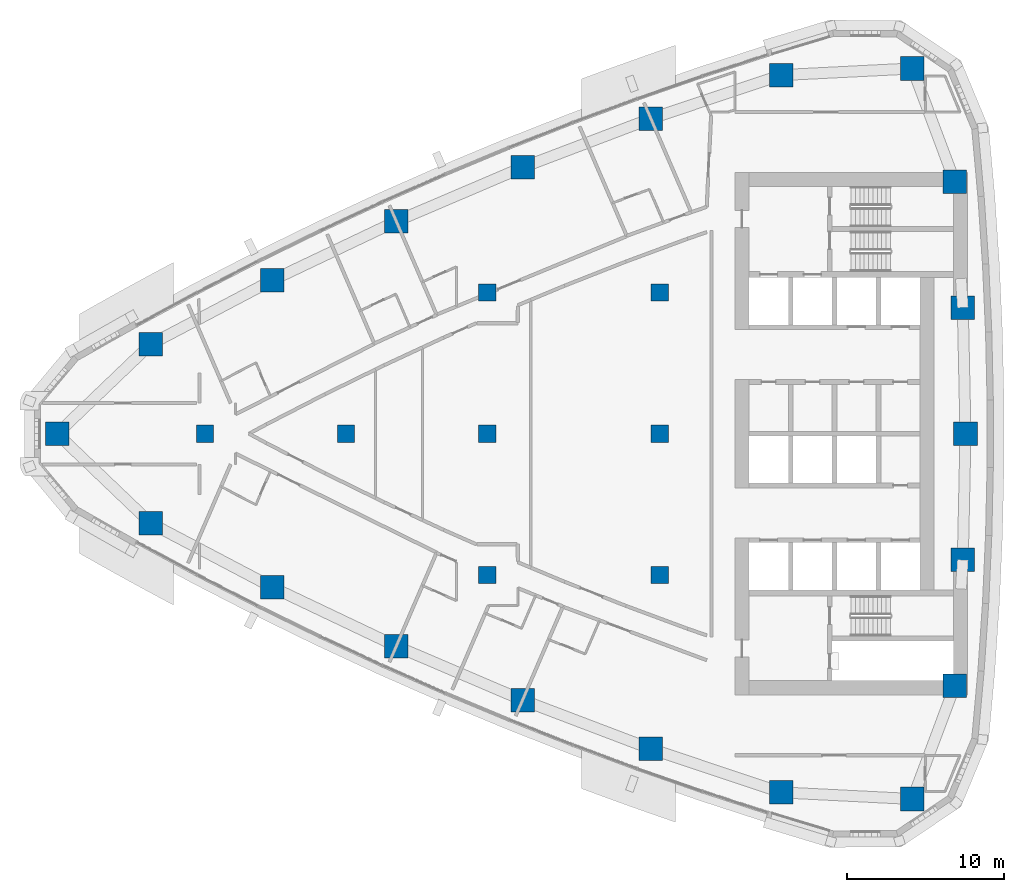
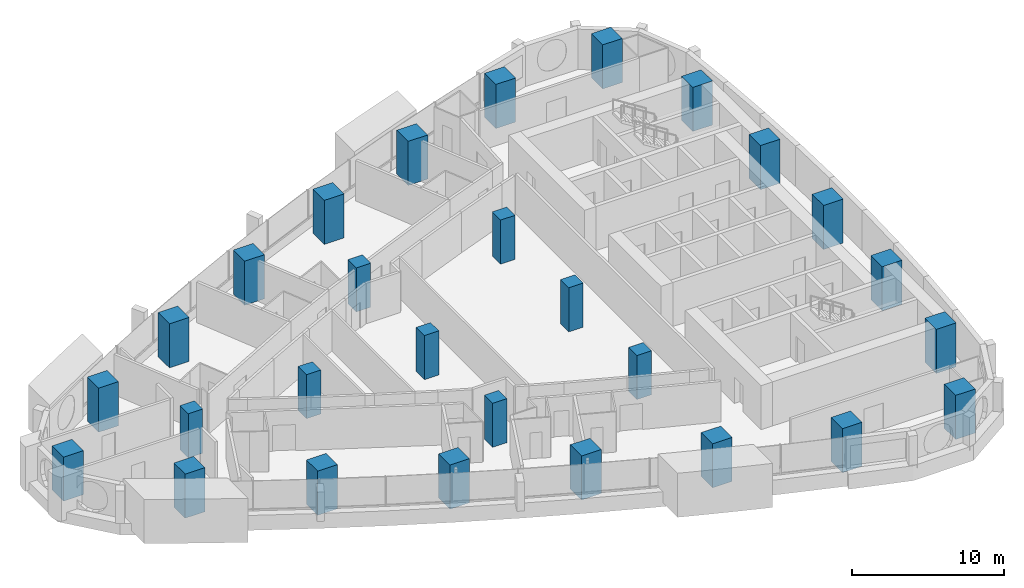
# One storey, part 1 of 16: 28 columns.
"""IFC4 building model written with IfcOpenShell, lengths in metres."""

from ifc_helpers import new_model, si_unit, direction, frame, origin, origin_2d, place, context, subcontext, project, spatial, rectangle, extrude, material, material_profile, profile_set, type_object, element, save


model = new_model("IFC4")

# Units and contexts
model_context = context("Model", 3, precision=1e-05, world=origin(), true_north=direction((0.0, 1.0)))
body_context = subcontext(model_context, "Body", "Model", "MODEL_VIEW")
ifc_project = project(units=[si_unit("LENGTHUNIT", "METRE"), si_unit("AREAUNIT", "SQUARE_METRE"), si_unit("VOLUMEUNIT", "CUBIC_METRE"), si_unit("PLANEANGLEUNIT", "RADIAN"), si_unit("MASSUNIT", "GRAM", prefix="KILO")], contexts=[model_context])

# Site, building, storey
site_placement = place(None, origin())
site = spatial("IfcSite", under=ifc_project, at=site_placement, CompositionType="ELEMENT")
building_placement = place(site_placement, origin())
building = spatial("IfcBuilding", under=site, at=building_placement, Name="Ostrand Prow Hotel Tower", CompositionType="ELEMENT")
storey_placement = place(building_placement, frame((0.0, 0.0, 147.949951171875)))
storey = spatial("IfcBuildingStorey", under=building, at=storey_placement, Name="L36", CompositionType="ELEMENT", Elevation=147.949951171875)

# Columns
ifc_material_1 = material(Name="Concrete C70/85", Category="concrete")
ifc_material_profile_1 = material_profile(ifc_material_1, rectangle(XDim=1.10009765625, YDim=1.10009765625, at=origin_2d()), Name="RC 1100x1100")
ifc_profile_set_1 = profile_set([ifc_material_profile_1], Name="Concrete C70/85")
column_type_1 = type_object("IfcColumnType", Name="Interior column 1100x1100 C70/85", PredefinedType="COLUMN", material=ifc_profile_set_1)
for number, where, z_axis, x_axis, name in (
    (1, (16.0, 0.0, 0.0), (0.0, 0.0, 1.0), (1.0, 0.0, 0.0), "Interior column 16C0"),
    (2, (25.0, 0.0, 0.0), (0.0, 0.0, 1.0), (1.0, 0.0, 0.0), "Interior column 25C0"),
    (3, (34.0, -9.0, 0.0), (0.0, 0.0, 1.0), (1.0, 0.0, 0.0), "Interior column 34S9"),
    (4, (34.0, 0.0, 0.0), (0.0, 0.0, 1.0), (1.0, 0.0, 0.0), "Interior column 34C0"),
    (5, (34.0, 9.0, 0.0), (0.0, 0.0, 1.0), (1.0, 0.0, 0.0), "Interior column 34N9"),
    (6, (45.0, -9.0, 0.0), (0.0, 0.0, 1.0), (1.0, 0.0, 0.0), "Interior column 45S9"),
    (7, (45.0, 0.0, 0.0), (0.0, 0.0, 1.0), (1.0, 0.0, 0.0), "Interior column 45C0"),
    (8, (45.0, 9.0, 0.0), (0.0, 0.0, 1.0), (1.0, 0.0, 0.0), "Interior column 45N9"),
):
    element("IfcColumn", number, at=place(storey_placement, frame(where, z_axis=z_axis, x_axis=x_axis)), inside=storey, type_object=column_type_1, Name=name, PredefinedType="COLUMN", context=body_context, shape_type="SweptSolid", body=[
        extrude(rectangle(XDim=1.10009765625, YDim=1.10009765625, at=origin_2d()), origin(), (0.0, 0.0, 1.0), 3.550048828125),
    ])
ifc_material_2 = material(Name="Concrete C70/85", Category="concrete")
ifc_material_profile_2 = material_profile(ifc_material_2, rectangle(XDim=1.5, YDim=1.5, at=origin_2d()), Name="RC 1500x1500")
ifc_profile_set_2 = profile_set([ifc_material_profile_2], Name="Concrete C70/85")
column_type_2 = type_object("IfcColumnType", Name="Stone-faced mega column 1500x1500 C70/85", PredefinedType="COLUMN", material=ifc_profile_set_2)
for number, where, z_axis, x_axis, name in (
    (9, (6.580078125, 0.0, 0.0), (0.0, 0.0, 1.0), (1.0, 0.0, 0.0), "Mega column P"),
    (10, (12.55322265625, -5.712646484375, 0.0), (0.0, 0.0, 1.0), (1.0, 0.0, 0.0), "Mega column S1"),
    (11, (20.300048828125, -9.787841796875, 0.0), (0.0, 0.0, 1.0), (1.0, 0.0, 0.0), "Mega column S2"),
    (12, (28.205078125, -13.547119140625, 0.0), (0.0, 0.0, 1.0), (1.0, 0.0, 0.0), "Mega column S3"),
    (13, (36.255615234375, -16.98388671875, 0.0), (0.0, 0.0, 1.0), (1.0, 0.0, 0.0), "Mega column S4"),
    (14, (44.438232421875, -20.093017578125, 0.0), (0.0, 0.0, 1.0), (1.0, 0.0, 0.0), "Mega column S5"),
    (15, (52.73974609375, -22.869140625, 0.0), (0.0, 0.0, 1.0), (1.0, 0.0, 0.0), "Mega column S6"),
    (16, (61.117431640625, -23.29052734375, 0.0), (0.0, 0.0, 1.0), (1.0, 0.0, 0.0), "Mega column SE"),
    (17, (63.818603515625, -16.074951171875, 0.0), (0.0, 0.0, 1.0), (1.0, 0.0, 0.0), "Mega column B1"),
    (18, (64.32958984375, -8.044677734375, 0.0), (0.0, 0.0, 1.0), (1.0, 0.0, 0.0), "Mega column B2"),
    (19, (64.5, 0.0, 0.0), (0.0, 0.0, 1.0), (1.0, 0.0, 0.0), "Mega column B3"),
    (20, (64.32958984375, 8.044677734375, 0.0), (0.0, 0.0, 1.0), (1.0, 0.0, 0.0), "Mega column B4"),
    (21, (63.818603515625, 16.074951171875, 0.0), (0.0, 0.0, 1.0), (1.0, 0.0, 0.0), "Mega column B5"),
    (22, (61.117431640625, 23.29052734375, 0.0), (0.0, 0.0, 1.0), (1.0, 0.0, 0.0), "Mega column NE"),
    (23, (52.73974609375, 22.869140625, 0.0), (0.0, 0.0, 1.0), (1.0, 0.0, 0.0), "Mega column N1"),
    (24, (44.438232421875, 20.093017578125, 0.0), (0.0, 0.0, 1.0), (1.0, 0.0, 0.0), "Mega column N2"),
    (25, (36.255615234375, 16.98388671875, 0.0), (0.0, 0.0, 1.0), (1.0, 0.0, 0.0), "Mega column N3"),
    (26, (28.205078125, 13.547119140625, 0.0), (0.0, 0.0, 1.0), (1.0, 0.0, 0.0), "Mega column N4"),
    (27, (20.300048828125, 9.787841796875, 0.0), (0.0, 0.0, 1.0), (1.0, 0.0, 0.0), "Mega column N5"),
    (28, (12.55322265625, 5.712646484375, 0.0), (0.0, 0.0, 1.0), (1.0, 0.0, 0.0), "Mega column N6"),
):
    element("IfcColumn", number, at=place(storey_placement, frame(where, z_axis=z_axis, x_axis=x_axis)), inside=storey, type_object=column_type_2, Name=name, PredefinedType="COLUMN", context=body_context, shape_type="SweptSolid", body=[
        extrude(rectangle(XDim=1.5, YDim=1.5, at=origin_2d()), origin(), (0.0, 0.0, 1.0), 3.550048828125),
    ])

save(model, "model.ifc")
